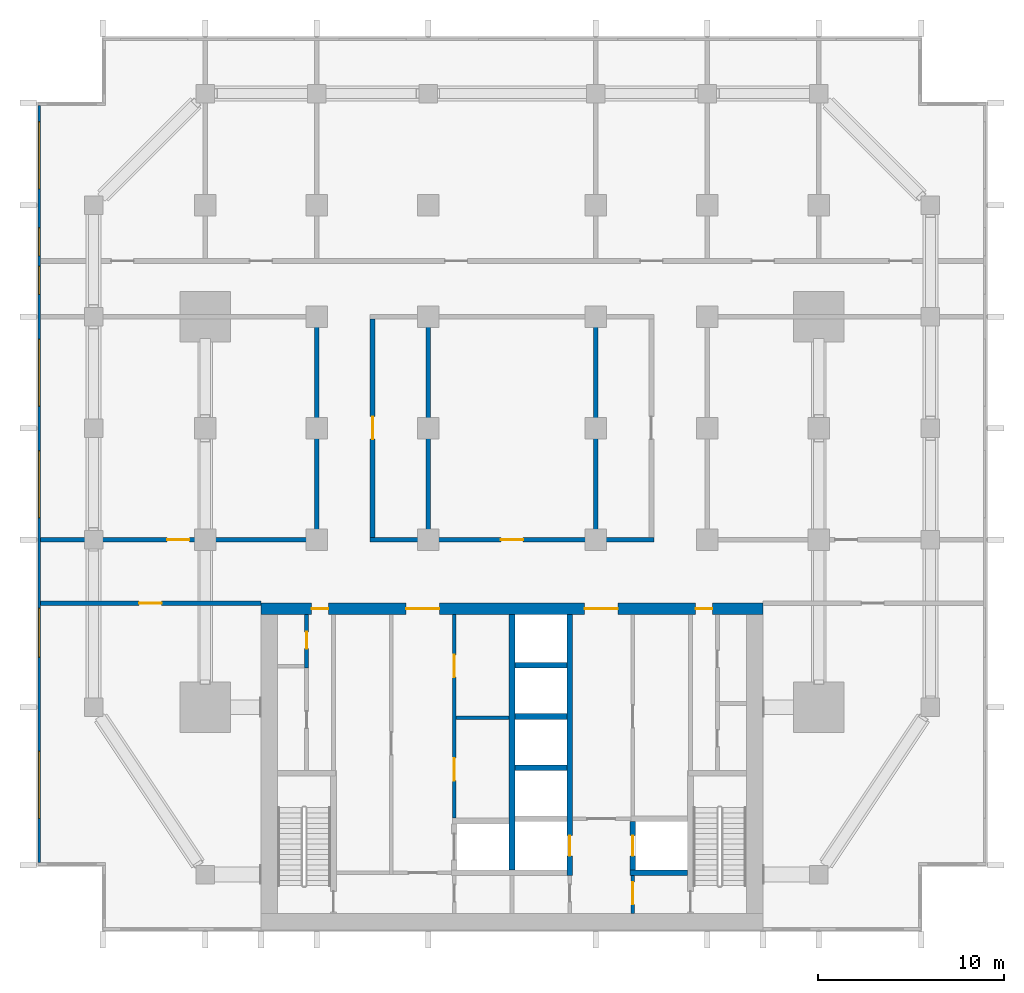
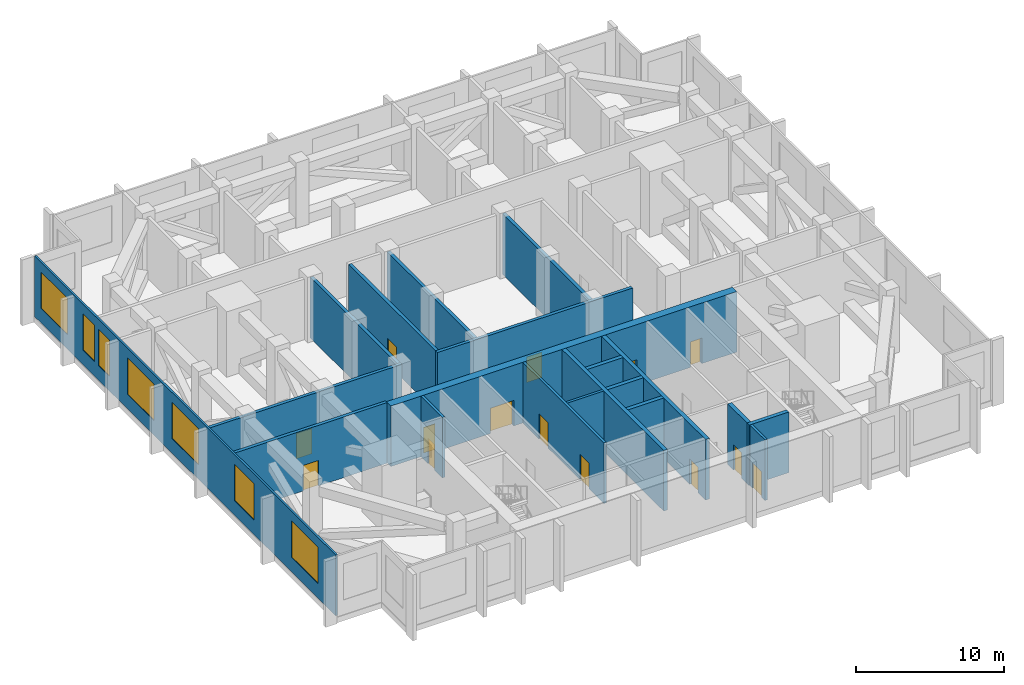
# One storey, part 3 of 12: 20 walls, 14 doors, 7 windows, 21 openings.
"""IFC4 building model written with IfcOpenShell, lengths in metres."""

from ifc_helpers import new_model, si_unit, direction, frame, frame_2d, origin, place, context, subcontext, project, spatial, rectangle, extrude, material, layer, layer_set, type_object, element, fill, save


model = new_model("IFC4")

# Units and contexts
model_context = context("Model", 3, precision=1e-05, world=origin(), true_north=direction((0.0, 1.0)))
body_context = subcontext(model_context, "Body", "Model", "MODEL_VIEW")
ifc_project = project(units=[si_unit("LENGTHUNIT", "METRE"), si_unit("AREAUNIT", "SQUARE_METRE"), si_unit("VOLUMEUNIT", "CUBIC_METRE"), si_unit("PLANEANGLEUNIT", "RADIAN"), si_unit("MASSUNIT", "GRAM", prefix="KILO")], contexts=[model_context])

# Site, building, storey
site_placement = place(None, origin())
site = spatial("IfcSite", under=ifc_project, at=site_placement, CompositionType="ELEMENT")
building_placement = place(site_placement, origin())
building = spatial("IfcBuilding", under=site, at=building_placement, Name="Finial Court Residences", CompositionType="ELEMENT")
storey_placement = place(building_placement, frame((0.0, 0.0, 143.89990234375)))
storey = spatial("IfcBuildingStorey", under=building, at=storey_placement, Name="L35", CompositionType="ELEMENT", Elevation=143.89990234375)

# Wall, openings, doors
ifc_material_1 = material(Name="Concrete C70/85", Category="concrete")
ifc_layer_1 = layer(ifc_material_1, 0.60009765625)
ifc_layer_set_1 = layer_set([ifc_layer_1], Name="Core outer wall 600 Concrete C70/85")
wall_type_1 = type_object("IfcWallType", Name="Core outer wall 600 Concrete C70/85", PredefinedType="SHEAR", material=ifc_layer_set_1)
wall_1_placement = place(storey_placement, frame((-13.5, -8.199951171875, 0.0), z_axis=(0.0, 0.0, 1.0), x_axis=(1.0, 0.0, 0.0)))
wall_1 = element("IfcWall", 1, at=wall_1_placement, inside=storey, type_object=wall_type_1, Name="Core outer wall L35-02", PredefinedType="SHEAR", context=body_context, shape_type="SweptSolid", body=[
    extrude(rectangle(XDim=27.0, YDim=0.60009765625, at=frame_2d((13.5, 0.0))), origin(), (0.0, 0.0, 1.0), 5.0),
])
opening_1_placement = place(wall_1_placement, frame((7.800048828125, 0.0, 0.0)))
opening_1 = element("IfcOpeningElement", 2, at=opening_1_placement, cuts=wall_1, Name="Opening L35-C03", PredefinedType="OPENING", context=body_context, shape_type="SweptSolid", body=[
    extrude(rectangle(XDim=1.800048828125, YDim=2.10009765625, at=frame_2d((0.89990234375, 1.050048828125))), frame((0.0, 0.31005859375, 0.0), z_axis=(0.0, -1.0, 0.0), x_axis=(1.0, 0.0, 0.0)), (0.0, 0.0, 1.0), 0.6201171875),
])
opening_2_placement = place(wall_1_placement, frame((17.39990234375, 0.0, 0.0)))
opening_2 = element("IfcOpeningElement", 3, at=opening_2_placement, cuts=wall_1, Name="Opening L35-C04", PredefinedType="OPENING", context=body_context, shape_type="SweptSolid", body=[
    extrude(rectangle(XDim=1.800048828125, YDim=2.10009765625, at=frame_2d((0.89990234375, 1.050048828125))), frame((0.0, 0.31005859375, 0.0), z_axis=(0.0, -1.0, 0.0), x_axis=(1.0, 0.0, 0.0)), (0.0, 0.0, 1.0), 0.6201171875),
])
opening_3_placement = place(wall_1_placement, frame((2.72509765625, 0.0, 0.0)))
opening_3 = element("IfcOpeningElement", 4, at=opening_3_placement, cuts=wall_1, Name="Opening L35-C12", PredefinedType="OPENING", context=body_context, shape_type="SweptSolid", body=[
    extrude(rectangle(XDim=0.89990234375, YDim=2.10009765625, at=frame_2d((0.449951171875, 1.050048828125))), frame((0.0, 0.31005859375, 0.0), z_axis=(0.0, -1.0, 0.0), x_axis=(1.0, 0.0, 0.0)), (0.0, 0.0, 1.0), 0.6201171875),
])
opening_4_placement = place(wall_1_placement, frame((23.375, 0.0, 0.0)))
opening_4 = element("IfcOpeningElement", 5, at=opening_4_placement, cuts=wall_1, Name="Opening L35-C13", PredefinedType="OPENING", context=body_context, shape_type="SweptSolid", body=[
    extrude(rectangle(XDim=0.89990234375, YDim=2.10009765625, at=frame_2d((0.449951171875, 1.050048828125))), frame((0.0, 0.31005859375, 0.0), z_axis=(0.0, -1.0, 0.0), x_axis=(1.0, 0.0, 0.0)), (0.0, 0.0, 1.0), 0.6201171875),
])
ifc_material_2 = material(Name="Steel fire door", Category="steel")
door_type_1 = type_object("IfcDoorType", Name="Lift lobby door 1800 x 2100 EI 60", OperationType="DOUBLE_DOOR_SINGLE_SWING", PredefinedType="DOOR", material=ifc_material_2)
door_1_placement = place(opening_1_placement, origin())
door_1 = element("IfcDoor", 6, at=door_1_placement, inside=storey, type_object=door_type_1, Name="Lift lobby door L35-C03", OperationType="DOUBLE_DOOR_SINGLE_SWING", OverallHeight=2.10009765625, OverallWidth=1.800048828125, PredefinedType="DOOR", context=body_context, shape_type="SweptSolid", body=[
    extrude(rectangle(XDim=1.800048828125, YDim=2.10009765625, at=frame_2d((0.89990234375, 1.050048828125))), frame((0.0, 0.02490234375, 0.0), z_axis=(0.0, -1.0, 0.0), x_axis=(1.0, 0.0, 0.0)), (0.0, 0.0, 1.0), 0.050048828125),
])
fill(opening_1, door_1)
door_2_placement = place(opening_2_placement, origin())
door_2 = element("IfcDoor", 7, at=door_2_placement, inside=storey, type_object=door_type_1, Name="Lift lobby door L35-C04", OperationType="DOUBLE_DOOR_SINGLE_SWING", OverallHeight=2.10009765625, OverallWidth=1.800048828125, PredefinedType="DOOR", context=body_context, shape_type="SweptSolid", body=[
    extrude(rectangle(XDim=1.800048828125, YDim=2.10009765625, at=frame_2d((0.89990234375, 1.050048828125))), frame((0.0, 0.02490234375, 0.0), z_axis=(0.0, -1.0, 0.0), x_axis=(1.0, 0.0, 0.0)), (0.0, 0.0, 1.0), 0.050048828125),
])
fill(opening_2, door_2)
door_type_2 = type_object("IfcDoorType", Name="Riser room door 900 x 2100 EI 90", OperationType="NOTDEFINED", PredefinedType="DOOR", material=ifc_material_2)
door_3_placement = place(opening_3_placement, origin())
door_3 = element("IfcDoor", 8, at=door_3_placement, inside=storey, type_object=door_type_2, Name="Riser room door L35-C12", OperationType="SINGLE_SWING_RIGHT", OverallHeight=2.10009765625, OverallWidth=0.89990234375, PredefinedType="DOOR", context=body_context, shape_type="SweptSolid", body=[
    extrude(rectangle(XDim=0.89990234375, YDim=2.10009765625, at=frame_2d((0.449951171875, 1.050048828125))), frame((0.0, 0.02490234375, 0.0), z_axis=(0.0, -1.0, 0.0), x_axis=(1.0, 0.0, 0.0)), (0.0, 0.0, 1.0), 0.050048828125),
])
fill(opening_3, door_3)
door_4_placement = place(opening_4_placement, origin())
door_4 = element("IfcDoor", 9, at=door_4_placement, inside=storey, type_object=door_type_2, Name="Riser room door L35-C13", OperationType="SINGLE_SWING_LEFT", OverallHeight=2.10009765625, OverallWidth=0.89990234375, PredefinedType="DOOR", context=body_context, shape_type="SweptSolid", body=[
    extrude(rectangle(XDim=0.89990234375, YDim=2.10009765625, at=frame_2d((0.449951171875, 1.050048828125))), frame((0.0, 0.02490234375, 0.0), z_axis=(0.0, -1.0, 0.0), x_axis=(1.0, 0.0, 0.0)), (0.0, 0.0, 1.0), 0.050048828125),
])
fill(opening_4, door_4)

# Wall, opening, door
ifc_material_3 = material(Name="Fire-rated gypsum board partition")
ifc_layer_2 = layer(ifc_material_3, 0.199951171875)
ifc_layer_set_2 = layer_set([ifc_layer_2], Name="Firefighting lobby wall 200 EI 120")
wall_type_2 = type_object("IfcWallType", Name="Firefighting lobby wall 200 EI 120", PredefinedType="PARTITIONING", material=ifc_layer_set_2)
wall_2_placement = place(storey_placement, frame((6.5, -22.550048828125, 0.0), z_axis=(0.0, 0.0, 1.0), x_axis=(0.0, -1.0, 0.0)))
wall_2 = element("IfcWall", 10, at=wall_2_placement, inside=storey, type_object=wall_type_2, Name="Core partition L35-29", PredefinedType="PARTITIONING", context=body_context, shape_type="SweptSolid", body=[
    extrude(rectangle(XDim=2.050048828125, YDim=0.199951171875, at=frame_2d((1.02490234375, 0.0))), origin(), (0.0, 0.0, 1.0), 5.0),
])
opening_5_placement = place(wall_2_placement, frame((0.35009765625, 0.0, 0.0)))
opening_5 = element("IfcOpeningElement", 11, at=opening_5_placement, cuts=wall_2, Name="Opening L35-C01", PredefinedType="OPENING", context=body_context, shape_type="SweptSolid", body=[
    extrude(rectangle(XDim=1.199951171875, YDim=2.10009765625, at=frame_2d((0.60009765625, 1.050048828125))), frame((0.0, 0.10986328125, 0.0), z_axis=(0.0, -1.0, 0.0), x_axis=(1.0, 0.0, 0.0)), (0.0, 0.0, 1.0), 0.219970703125),
])
door_type_3 = type_object("IfcDoorType", Name="Firefighting lobby door 1200 x 2100 EI 90", OperationType="NOTDEFINED", PredefinedType="DOOR", material=ifc_material_2)
door_5_placement = place(opening_5_placement, origin())
door_5 = element("IfcDoor", 12, at=door_5_placement, inside=storey, type_object=door_type_3, Name="Firefighting lobby door L35-C01", OperationType="SINGLE_SWING_RIGHT", OverallHeight=2.10009765625, OverallWidth=1.199951171875, PredefinedType="DOOR", context=body_context, shape_type="SweptSolid", body=[
    extrude(rectangle(XDim=1.199951171875, YDim=2.10009765625, at=frame_2d((0.60009765625, 1.050048828125))), frame((0.0, 0.02490234375, 0.0), z_axis=(0.0, -1.0, 0.0), x_axis=(1.0, 0.0, 0.0)), (0.0, 0.0, 1.0), 0.050048828125),
])
fill(opening_5, door_5)

# Walls
ifc_layer_3 = layer(ifc_material_1, 0.300048828125)
ifc_layer_set_3 = layer_set([ifc_layer_3], Name="Lift shaft and stair wall 300 Concrete C70/85")
wall_type_3 = type_object("IfcWallType", Name="Lift shaft and stair wall 300 Concrete C70/85", PredefinedType="SHEAR", material=ifc_layer_set_3)
wall_3_placement = place(storey_placement, frame((6.35009765625, -22.39990234375, 0.0), z_axis=(0.0, 0.0, 1.0), x_axis=(1.0, 0.0, 0.0)))
element("IfcWall", 13, at=wall_3_placement, inside=storey, type_object=wall_type_3, Name="Core wall L35-04", PredefinedType="SHEAR", context=body_context, shape_type="SweptSolid", body=[
    extrude(rectangle(XDim=3.099853515625, YDim=0.300048828125, at=frame_2d((1.5498046875, 0.0))), origin(), (0.0, 0.0, 1.0), 5.0),
])
for number, where, z_axis, x_axis, name in (
    (14, (0.14990234375, -16.75, 0.0), (0.0, 0.0, 1.0), (1.0, 0.0, 0.0), "Core wall L35-11"),
    (15, (0.14990234375, -14.0, 0.0), (0.0, 0.0, 1.0), (1.0, 0.0, 0.0), "Core wall L35-13"),
    (16, (0.14990234375, -11.25, 0.0), (0.0, 0.0, 1.0), (1.0, 0.0, 0.0), "Core wall L35-16"),
):
    element("IfcWall", number, at=place(storey_placement, frame(where, z_axis=z_axis, x_axis=x_axis)), inside=storey, type_object=wall_type_3, Name=name, PredefinedType="SHEAR", context=body_context, shape_type="SweptSolid", body=[
        extrude(rectangle(XDim=2.800048828125, YDim=0.300048828125, at=frame_2d((1.39990234375, 0.0))), origin(), (0.0, 0.0, 1.0), 5.0),
    ])
wall_4_placement = place(storey_placement, frame((0.0, -22.25, 0.0), z_axis=(0.0, 0.0, 1.0), x_axis=(0.0, 1.0, 0.0)))
element("IfcWall", 17, at=wall_4_placement, inside=storey, type_object=wall_type_3, Name="Core wall L35-26", PredefinedType="SHEAR", context=body_context, shape_type="SweptSolid", body=[
    extrude(rectangle(XDim=13.75, YDim=0.300048828125, at=frame_2d((6.875, 0.0))), origin(), (0.0, 0.0, 1.0), 5.0),
])

# Wall, opening, door
wall_5_placement = place(storey_placement, frame((3.10009765625, -22.550048828125, 0.0), z_axis=(0.0, 0.0, 1.0), x_axis=(0.0, 1.0, 0.0)))
wall_5 = element("IfcWall", 18, at=wall_5_placement, inside=storey, type_object=wall_type_3, Name="Core wall L35-28", PredefinedType="SHEAR", context=body_context, shape_type="SweptSolid", body=[
    extrude(rectangle(XDim=14.050048828125, YDim=0.300048828125, at=frame_2d((7.02490234375, 0.0))), origin(), (0.0, 0.0, 1.0), 5.0),
])
opening_6_placement = place(wall_5_placement, frame((1.050048828125, 0.0, 0.0)))
opening_6 = element("IfcOpeningElement", 19, at=opening_6_placement, cuts=wall_5, Name="Opening L35-LD01", PredefinedType="OPENING", context=body_context, shape_type="SweptSolid", body=[
    extrude(rectangle(XDim=1.10009765625, YDim=2.10009765625, at=frame_2d((0.550048828125, 1.050048828125))), frame((0.0, 0.159912109375, 0.0), z_axis=(0.0, -1.0, 0.0), x_axis=(1.0, 0.0, 0.0)), (0.0, 0.0, 1.0), 0.320068359375),
])
ifc_material_4 = material(Name="Stainless steel lift door", Category="steel")
door_type_4 = type_object("IfcDoorType", Name="Lift landing door 1100 x 2100 EI 90", OperationType="DOUBLE_DOOR_SLIDING", PredefinedType="DOOR", material=ifc_material_4)
door_6_placement = place(opening_6_placement, origin())
door_6 = element("IfcDoor", 20, at=door_6_placement, inside=storey, type_object=door_type_4, Name="Lift landing door FF1 L35", OperationType="DOUBLE_DOOR_SLIDING", OverallHeight=2.10009765625, OverallWidth=1.10009765625, PredefinedType="DOOR", context=body_context, shape_type="SweptSolid", body=[
    extrude(rectangle(XDim=1.10009765625, YDim=2.10009765625, at=frame_2d((0.550048828125, 1.050048828125))), frame((0.0, 0.02490234375, 0.0), z_axis=(0.0, -1.0, 0.0), x_axis=(1.0, 0.0, 0.0)), (0.0, 0.0, 1.0), 0.050048828125),
])
fill(opening_6, door_6)

wall_6_placement = place(storey_placement, frame((6.5, -22.25, 0.0), z_axis=(0.0, 0.0, 1.0), x_axis=(0.0, 1.0, 0.0)))
wall_6 = element("IfcWall", 21, at=wall_6_placement, inside=storey, type_object=wall_type_3, Name="Core wall L35-30", PredefinedType="SHEAR", context=body_context, shape_type="SweptSolid", body=[
    extrude(rectangle(XDim=2.60009765625, YDim=0.300048828125, at=frame_2d((1.300048828125, 0.0))), origin(), (0.0, 0.0, 1.0), 5.0),
])
opening_7_placement = place(wall_6_placement, frame((0.75, 0.0, 0.0)))
opening_7 = element("IfcOpeningElement", 22, at=opening_7_placement, cuts=wall_6, Name="Opening L35-LD02", PredefinedType="OPENING", context=body_context, shape_type="SweptSolid", body=[
    extrude(rectangle(XDim=1.10009765625, YDim=2.10009765625, at=frame_2d((0.550048828125, 1.050048828125))), frame((0.0, 0.159912109375, 0.0), z_axis=(0.0, -1.0, 0.0), x_axis=(1.0, 0.0, 0.0)), (0.0, 0.0, 1.0), 0.320068359375),
])
door_7_placement = place(opening_7_placement, origin())
door_7 = element("IfcDoor", 23, at=door_7_placement, inside=storey, type_object=door_type_4, Name="Lift landing door FF2 L35", OperationType="DOUBLE_DOOR_SLIDING", OverallHeight=2.10009765625, OverallWidth=1.10009765625, PredefinedType="DOOR", context=body_context, shape_type="SweptSolid", body=[
    extrude(rectangle(XDim=1.10009765625, YDim=2.10009765625, at=frame_2d((0.550048828125, 1.050048828125))), frame((0.0, 0.02490234375, 0.0), z_axis=(0.0, -1.0, 0.0), x_axis=(1.0, 0.0, 0.0)), (0.0, 0.0, 1.0), 0.050048828125),
])
fill(opening_7, door_7)

ifc_material_5 = material(Name="Fire-rated board")
ifc_layer_4 = layer(ifc_material_5, 0.050048828125)
ifc_material_6 = material(Name="Mineral wool in double frame")
ifc_layer_5 = layer(ifc_material_6, 0.14990234375)
ifc_layer_6 = layer(ifc_material_5, 0.050048828125)
ifc_layer_set_4 = layer_set([ifc_layer_4, ifc_layer_5, ifc_layer_6], Name="Plant room wall 250, 2 hour")
wall_type_4 = type_object("IfcWallType", Name="Plant room wall 250, 2 hour", PredefinedType="PARTITIONING", material=ifc_layer_set_4)
wall_7_placement = place(storey_placement, frame((-25.35009765625, -7.89990234375, 0.0), z_axis=(0.0, 0.0, 1.0), x_axis=(1.0, 0.0, 0.0)))
wall_7 = element("IfcWall", 24, at=wall_7_placement, inside=storey, type_object=wall_type_4, Name="Partition L35-000", PredefinedType="PARTITIONING", context=body_context, shape_type="SweptSolid", body=[
    extrude(rectangle(XDim=11.85009765625, YDim=0.25, at=frame_2d((5.925048828125, 0.0))), origin(), (0.0, 0.0, 1.0), 5.0),
])
opening_8_placement = place(wall_7_placement, frame((5.300048828125, 0.0, 0.0)))
opening_8 = element("IfcOpeningElement", 25, at=opening_8_placement, cuts=wall_7, Name="Opening L35-D001", PredefinedType="OPENING", context=body_context, shape_type="SweptSolid", body=[
    extrude(rectangle(XDim=1.199951171875, YDim=2.10009765625, at=frame_2d((0.60009765625, 1.050048828125))), frame((0.0, 0.135009765625, 0.0), z_axis=(0.0, -1.0, 0.0), x_axis=(1.0, 0.0, 0.0)), (0.0, 0.0, 1.0), 0.27001953125),
])
ifc_material_7 = material(Name="Timber door leaf in hollow metal frame", Category="wood")
door_type_5 = type_object("IfcDoorType", Name="Fire door set 1200 x 2100, 60 minutes", OperationType="SINGLE_SWING_LEFT", PredefinedType="DOOR", material=ifc_material_7)
door_8_placement = place(opening_8_placement, origin())
door_8 = element("IfcDoor", 26, at=door_8_placement, inside=storey, type_object=door_type_5, Name="Door L35-D001", OperationType="SINGLE_SWING_LEFT", OverallHeight=2.10009765625, OverallWidth=1.199951171875, PredefinedType="DOOR", context=body_context, shape_type="SweptSolid", body=[
    extrude(rectangle(XDim=1.199951171875, YDim=2.10009765625, at=frame_2d((0.60009765625, 1.050048828125))), frame((0.0, 0.02490234375, 0.0), z_axis=(0.0, -1.0, 0.0), x_axis=(1.0, 0.0, 0.0)), (0.0, 0.0, 1.0), 0.050048828125),
])
fill(opening_8, door_8)

wall_8_placement = place(storey_placement, frame((-25.35009765625, -4.5, 0.0), z_axis=(0.0, 0.0, 1.0), x_axis=(1.0, 0.0, 0.0)))
wall_8 = element("IfcWall", 27, at=wall_8_placement, inside=storey, type_object=wall_type_4, Name="Partition L35-002", PredefinedType="PARTITIONING", context=body_context, shape_type="SweptSolid", body=[
    extrude(rectangle(XDim=14.97509765625, YDim=0.25, at=frame_2d((7.487548828125, 0.0))), origin(), (0.0, 0.0, 1.0), 5.0),
])
opening_9_placement = place(wall_8_placement, frame((6.800048828125, 0.0, 0.0)))
opening_9 = element("IfcOpeningElement", 28, at=opening_9_placement, cuts=wall_8, Name="Opening L35-D003", PredefinedType="OPENING", context=body_context, shape_type="SweptSolid", body=[
    extrude(rectangle(XDim=1.199951171875, YDim=2.10009765625, at=frame_2d((0.60009765625, 1.050048828125))), frame((0.0, 0.135009765625, 0.0), z_axis=(0.0, -1.0, 0.0), x_axis=(1.0, 0.0, 0.0)), (0.0, 0.0, 1.0), 0.27001953125),
])
door_9_placement = place(opening_9_placement, origin())
door_9 = element("IfcDoor", 29, at=door_9_placement, inside=storey, type_object=door_type_5, Name="Door L35-D003", OperationType="SINGLE_SWING_RIGHT", OverallHeight=2.10009765625, OverallWidth=1.199951171875, PredefinedType="DOOR", context=body_context, shape_type="SweptSolid", body=[
    extrude(rectangle(XDim=1.199951171875, YDim=2.10009765625, at=frame_2d((0.60009765625, 1.050048828125))), frame((0.0, 0.02490234375, 0.0), z_axis=(0.0, -1.0, 0.0), x_axis=(1.0, 0.0, 0.0)), (0.0, 0.0, 1.0), 0.050048828125),
])
fill(opening_9, door_9)

wall_9_placement = place(storey_placement, frame((-7.625, -4.5, 0.0), z_axis=(0.0, 0.0, 1.0), x_axis=(1.0, 0.0, 0.0)))
wall_9 = element("IfcWall", 30, at=wall_9_placement, inside=storey, type_object=wall_type_4, Name="Partition L35-003", PredefinedType="PARTITIONING", context=body_context, shape_type="SweptSolid", body=[
    extrude(rectangle(XDim=15.25, YDim=0.25, at=frame_2d((7.625, 0.0))), origin(), (0.0, 0.0, 1.0), 5.0),
])
opening_10_placement = place(wall_9_placement, frame((7.02490234375, 0.0, 0.0)))
opening_10 = element("IfcOpeningElement", 31, at=opening_10_placement, cuts=wall_9, Name="Opening L35-D004", PredefinedType="OPENING", context=body_context, shape_type="SweptSolid", body=[
    extrude(rectangle(XDim=1.199951171875, YDim=2.10009765625, at=frame_2d((0.60009765625, 1.050048828125))), frame((0.0, 0.135009765625, 0.0), z_axis=(0.0, -1.0, 0.0), x_axis=(1.0, 0.0, 0.0)), (0.0, 0.0, 1.0), 0.27001953125),
])
door_10_placement = place(opening_10_placement, origin())
door_10 = element("IfcDoor", 32, at=door_10_placement, inside=storey, type_object=door_type_5, Name="Door L35-D004", OperationType="SINGLE_SWING_LEFT", OverallHeight=2.10009765625, OverallWidth=1.199951171875, PredefinedType="DOOR", context=body_context, shape_type="SweptSolid", body=[
    extrude(rectangle(XDim=1.199951171875, YDim=2.10009765625, at=frame_2d((0.60009765625, 1.050048828125))), frame((0.0, 0.02490234375, 0.0), z_axis=(0.0, -1.0, 0.0), x_axis=(1.0, 0.0, 0.0)), (0.0, 0.0, 1.0), 0.050048828125),
])
fill(opening_10, door_10)

# Wall
wall_10_placement = place(storey_placement, frame((-10.5, -4.375, 0.0), z_axis=(0.0, 0.0, 1.0), x_axis=(0.0, 1.0, 0.0)))
element("IfcWall", 33, at=wall_10_placement, inside=storey, type_object=wall_type_4, Name="Partition L35-010", PredefinedType="PARTITIONING", context=body_context, shape_type="SweptSolid", body=[
    extrude(rectangle(XDim=11.75, YDim=0.25, at=frame_2d((5.875, 0.0))), origin(), (0.0, 0.0, 1.0), 5.0),
])

# Wall, opening, door
wall_11_placement = place(storey_placement, frame((-7.5, -4.375, 0.0), z_axis=(0.0, 0.0, 1.0), x_axis=(0.0, 1.0, 0.0)))
wall_11 = element("IfcWall", 34, at=wall_11_placement, inside=storey, type_object=wall_type_4, Name="Partition L35-012", PredefinedType="PARTITIONING", context=body_context, shape_type="SweptSolid", body=[
    extrude(rectangle(XDim=11.75, YDim=0.25, at=frame_2d((5.875, 0.0))), origin(), (0.0, 0.0, 1.0), 5.0),
])
opening_11_placement = place(wall_11_placement, frame((5.300048828125, 0.0, 0.0)))
opening_11 = element("IfcOpeningElement", 35, at=opening_11_placement, cuts=wall_11, Name="Opening L35-D012", PredefinedType="OPENING", context=body_context, shape_type="SweptSolid", body=[
    extrude(rectangle(XDim=1.199951171875, YDim=2.10009765625, at=frame_2d((0.60009765625, 1.050048828125))), frame((0.0, 0.135009765625, 0.0), z_axis=(0.0, -1.0, 0.0), x_axis=(1.0, 0.0, 0.0)), (0.0, 0.0, 1.0), 0.27001953125),
])
door_11_placement = place(opening_11_placement, origin())
door_11 = element("IfcDoor", 36, at=door_11_placement, inside=storey, type_object=door_type_5, Name="Door L35-D012", OperationType="SINGLE_SWING_RIGHT", OverallHeight=2.10009765625, OverallWidth=1.199951171875, PredefinedType="DOOR", context=body_context, shape_type="SweptSolid", body=[
    extrude(rectangle(XDim=1.199951171875, YDim=2.10009765625, at=frame_2d((0.60009765625, 1.050048828125))), frame((0.0, 0.02490234375, 0.0), z_axis=(0.0, -1.0, 0.0), x_axis=(1.0, 0.0, 0.0)), (0.0, 0.0, 1.0), 0.050048828125),
])
fill(opening_11, door_11)

# Walls
for number, where, z_axis, x_axis, name in (
    (37, (-4.5, -4.375, 0.0), (0.0, 0.0, 1.0), (0.0, 1.0, 0.0), "Partition L35-013"),
    (38, (4.5, -4.375, 0.0), (0.0, 0.0, 1.0), (0.0, 1.0, 0.0), "Partition L35-014"),
):
    element("IfcWall", number, at=place(storey_placement, frame(where, z_axis=z_axis, x_axis=x_axis)), inside=storey, type_object=wall_type_4, Name=name, PredefinedType="PARTITIONING", context=body_context, shape_type="SweptSolid", body=[
        extrude(rectangle(XDim=11.75, YDim=0.25, at=frame_2d((5.875, 0.0))), origin(), (0.0, 0.0, 1.0), 5.0),
    ])

# Wall, openings, windows
ifc_material_8 = material(Name="Natural limestone", Category="masonry")
ifc_layer_7 = layer(ifc_material_8, 0.14990234375)
ifc_layer_set_5 = layer_set([ifc_layer_7], Name="Plant storey wall, limestone clad 150")
wall_type_5 = type_object("IfcWallType", Name="Plant storey wall, limestone clad 150", PredefinedType="SOLIDWALL", material=ifc_layer_set_5)
wall_12_placement = place(storey_placement, frame((-25.425048828125, -21.85009765625, 0.0), z_axis=(0.0, 0.0, 1.0), x_axis=(0.0, 1.0, 0.0)))
wall_12 = element("IfcWall", 39, at=wall_12_placement, inside=storey, type_object=wall_type_5, Name="E-L35-PWW5", PredefinedType="SOLIDWALL", context=body_context, shape_type="SweptSolid", body=[
    extrude(rectangle(XDim=40.7001953125, YDim=0.14990234375, at=frame_2d((20.35009765625, 0.0))), origin(), (0.0, 0.0, 1.0), 5.0),
])
opening_12_placement = place(wall_12_placement, frame((2.375, 0.0, 1.199951171875)))
opening_12 = element("IfcOpeningElement", 40, at=opening_12_placement, cuts=wall_12, Name="Opening WE35-19", PredefinedType="OPENING", context=body_context, shape_type="SweptSolid", body=[
    extrude(rectangle(XDim=3.60009765625, YDim=3.0, at=frame_2d((1.800048828125, 1.5))), frame((0.0, 0.0849609375, 0.0), z_axis=(0.0, -1.0, 0.0), x_axis=(1.0, 0.0, 0.0)), (0.0, 0.0, 1.0), 0.169921875),
])
opening_13_placement = place(wall_12_placement, frame((11.050048828125, 0.0, 1.199951171875)))
opening_13 = element("IfcOpeningElement", 41, at=opening_13_placement, cuts=wall_12, Name="Opening WE35-20", PredefinedType="OPENING", context=body_context, shape_type="SweptSolid", body=[
    extrude(rectangle(XDim=2.625, YDim=3.0, at=frame_2d((1.3125, 1.5))), frame((0.0, 0.0849609375, 0.0), z_axis=(0.0, -1.0, 0.0), x_axis=(1.0, 0.0, 0.0)), (0.0, 0.0, 1.0), 0.169921875),
])
opening_14_placement = place(wall_12_placement, frame((18.550048828125, 0.0, 1.199951171875)))
opening_14 = element("IfcOpeningElement", 42, at=opening_14_placement, cuts=wall_12, Name="Opening WE35-21", PredefinedType="OPENING", context=body_context, shape_type="SweptSolid", body=[
    extrude(rectangle(XDim=3.60009765625, YDim=3.0, at=frame_2d((1.800048828125, 1.5))), frame((0.0, 0.0849609375, 0.0), z_axis=(0.0, -1.0, 0.0), x_axis=(1.0, 0.0, 0.0)), (0.0, 0.0, 1.0), 0.169921875),
])
opening_15_placement = place(wall_12_placement, frame((24.550048828125, 0.0, 1.199951171875)))
opening_15 = element("IfcOpeningElement", 43, at=opening_15_placement, cuts=wall_12, Name="Opening WE35-22", PredefinedType="OPENING", context=body_context, shape_type="SweptSolid", body=[
    extrude(rectangle(XDim=3.60009765625, YDim=3.0, at=frame_2d((1.800048828125, 1.5))), frame((0.0, 0.0849609375, 0.0), z_axis=(0.0, -1.0, 0.0), x_axis=(1.0, 0.0, 0.0)), (0.0, 0.0, 1.0), 0.169921875),
])
opening_16_placement = place(wall_12_placement, frame((30.550048828125, 0.0, 1.199951171875)))
opening_16 = element("IfcOpeningElement", 44, at=opening_16_placement, cuts=wall_12, Name="Opening WE35-23", PredefinedType="OPENING", context=body_context, shape_type="SweptSolid", body=[
    extrude(rectangle(XDim=1.52490234375, YDim=3.0, at=frame_2d((0.762451171875, 1.5))), frame((0.0, 0.0849609375, 0.0), z_axis=(0.0, -1.0, 0.0), x_axis=(1.0, 0.0, 0.0)), (0.0, 0.0, 1.0), 0.169921875),
])
opening_17_placement = place(wall_12_placement, frame((32.625, 0.0, 1.199951171875)))
opening_17 = element("IfcOpeningElement", 45, at=opening_17_placement, cuts=wall_12, Name="Opening WE35-24", PredefinedType="OPENING", context=body_context, shape_type="SweptSolid", body=[
    extrude(rectangle(XDim=1.52490234375, YDim=3.0, at=frame_2d((0.762451171875, 1.5))), frame((0.0, 0.0849609375, 0.0), z_axis=(0.0, -1.0, 0.0), x_axis=(1.0, 0.0, 0.0)), (0.0, 0.0, 1.0), 0.169921875),
])
opening_18_placement = place(wall_12_placement, frame((36.22509765625, 0.0, 1.199951171875)))
opening_18 = element("IfcOpeningElement", 46, at=opening_18_placement, cuts=wall_12, Name="Opening WE35-25", PredefinedType="OPENING", context=body_context, shape_type="SweptSolid", body=[
    extrude(rectangle(XDim=3.60009765625, YDim=3.0, at=frame_2d((1.800048828125, 1.5))), frame((0.0, 0.0849609375, 0.0), z_axis=(0.0, -1.0, 0.0), x_axis=(1.0, 0.0, 0.0)), (0.0, 0.0, 1.0), 0.169921875),
])
ifc_material_9 = material(Name="Bronze anodised aluminium", Category="aluminium")
window_type_1 = type_object("IfcWindowType", Name="Plant louvre 1525 x 3000", PartitioningType="SINGLE_PANEL", PredefinedType="WINDOW", material=ifc_material_9)
window_1_placement = place(opening_16_placement, origin())
window_1 = element("IfcWindow", 47, at=window_1_placement, inside=storey, type_object=window_type_1, Name="E-L35-PWW5-W5", OverallHeight=3.0, OverallWidth=1.52490234375, PartitioningType="SINGLE_PANEL", PredefinedType="WINDOW", context=body_context, shape_type="SweptSolid", body=[
    extrude(rectangle(XDim=1.52490234375, YDim=3.0, at=frame_2d((0.762451171875, 1.5))), frame((0.0, 0.030029296875, 0.0), z_axis=(0.0, -1.0, 0.0), x_axis=(1.0, 0.0, 0.0)), (0.0, 0.0, 1.0), 0.06005859375),
])
fill(opening_16, window_1)
window_2_placement = place(opening_17_placement, origin())
window_2 = element("IfcWindow", 48, at=window_2_placement, inside=storey, type_object=window_type_1, Name="E-L35-PWW5-W6", OverallHeight=3.0, OverallWidth=1.52490234375, PartitioningType="SINGLE_PANEL", PredefinedType="WINDOW", context=body_context, shape_type="SweptSolid", body=[
    extrude(rectangle(XDim=1.52490234375, YDim=3.0, at=frame_2d((0.762451171875, 1.5))), frame((0.0, 0.030029296875, 0.0), z_axis=(0.0, -1.0, 0.0), x_axis=(1.0, 0.0, 0.0)), (0.0, 0.0, 1.0), 0.06005859375),
])
fill(opening_17, window_2)
window_type_2 = type_object("IfcWindowType", Name="Plant louvre 2625 x 3000", PartitioningType="SINGLE_PANEL", PredefinedType="WINDOW", material=ifc_material_9)
window_3_placement = place(opening_13_placement, origin())
window_3 = element("IfcWindow", 49, at=window_3_placement, inside=storey, type_object=window_type_2, Name="E-L35-PWW5-W2", OverallHeight=3.0, OverallWidth=2.625, PartitioningType="SINGLE_PANEL", PredefinedType="WINDOW", context=body_context, shape_type="SweptSolid", body=[
    extrude(rectangle(XDim=2.625, YDim=3.0, at=frame_2d((1.3125, 1.5))), frame((0.0, 0.030029296875, 0.0), z_axis=(0.0, -1.0, 0.0), x_axis=(1.0, 0.0, 0.0)), (0.0, 0.0, 1.0), 0.06005859375),
])
fill(opening_13, window_3)
window_type_3 = type_object("IfcWindowType", Name="Plant louvre 3600 x 3000", PartitioningType="SINGLE_PANEL", PredefinedType="WINDOW", material=ifc_material_9)
window_4_placement = place(opening_12_placement, origin())
window_4 = element("IfcWindow", 50, at=window_4_placement, inside=storey, type_object=window_type_3, Name="E-L35-PWW5-W1", OverallHeight=3.0, OverallWidth=3.60009765625, PartitioningType="SINGLE_PANEL", PredefinedType="WINDOW", context=body_context, shape_type="SweptSolid", body=[
    extrude(rectangle(XDim=3.60009765625, YDim=3.0, at=frame_2d((1.800048828125, 1.5))), frame((0.0, 0.030029296875, 0.0), z_axis=(0.0, -1.0, 0.0), x_axis=(1.0, 0.0, 0.0)), (0.0, 0.0, 1.0), 0.06005859375),
])
fill(opening_12, window_4)
window_5_placement = place(opening_14_placement, origin())
window_5 = element("IfcWindow", 51, at=window_5_placement, inside=storey, type_object=window_type_3, Name="E-L35-PWW5-W3", OverallHeight=3.0, OverallWidth=3.60009765625, PartitioningType="SINGLE_PANEL", PredefinedType="WINDOW", context=body_context, shape_type="SweptSolid", body=[
    extrude(rectangle(XDim=3.60009765625, YDim=3.0, at=frame_2d((1.800048828125, 1.5))), frame((0.0, 0.030029296875, 0.0), z_axis=(0.0, -1.0, 0.0), x_axis=(1.0, 0.0, 0.0)), (0.0, 0.0, 1.0), 0.06005859375),
])
fill(opening_14, window_5)
window_6_placement = place(opening_15_placement, origin())
window_6 = element("IfcWindow", 52, at=window_6_placement, inside=storey, type_object=window_type_3, Name="E-L35-PWW5-W4", OverallHeight=3.0, OverallWidth=3.60009765625, PartitioningType="SINGLE_PANEL", PredefinedType="WINDOW", context=body_context, shape_type="SweptSolid", body=[
    extrude(rectangle(XDim=3.60009765625, YDim=3.0, at=frame_2d((1.800048828125, 1.5))), frame((0.0, 0.030029296875, 0.0), z_axis=(0.0, -1.0, 0.0), x_axis=(1.0, 0.0, 0.0)), (0.0, 0.0, 1.0), 0.06005859375),
])
fill(opening_15, window_6)
window_7_placement = place(opening_18_placement, origin())
window_7 = element("IfcWindow", 53, at=window_7_placement, inside=storey, type_object=window_type_3, Name="E-L35-PWW5-W7", OverallHeight=3.0, OverallWidth=3.60009765625, PartitioningType="SINGLE_PANEL", PredefinedType="WINDOW", context=body_context, shape_type="SweptSolid", body=[
    extrude(rectangle(XDim=3.60009765625, YDim=3.0, at=frame_2d((1.800048828125, 1.5))), frame((0.0, 0.030029296875, 0.0), z_axis=(0.0, -1.0, 0.0), x_axis=(1.0, 0.0, 0.0)), (0.0, 0.0, 1.0), 0.06005859375),
])
fill(opening_18, window_7)

# Wall
ifc_layer_8 = layer(ifc_material_3, 0.199951171875)
ifc_layer_set_6 = layer_set([ifc_layer_8], Name="Riser room wall 200 EI 120")
wall_type_6 = type_object("IfcWallType", Name="Riser room wall 200 EI 120", PredefinedType="PARTITIONING", material=ifc_layer_set_6)
wall_13_placement = place(storey_placement, frame((-3.0, -14.06005859375, 0.0), z_axis=(0.0, 0.0, 1.0), x_axis=(1.0, 0.0, 0.0)))
element("IfcWall", 54, at=wall_13_placement, inside=storey, type_object=wall_type_6, Name="Core partition L35-12", PredefinedType="PARTITIONING", context=body_context, shape_type="SweptSolid", body=[
    extrude(rectangle(XDim=2.85009765625, YDim=0.199951171875, at=frame_2d((1.425048828125, 0.0))), origin(), (0.0, 0.0, 1.0), 5.0),
])

# Wall, opening, door
wall_14_placement = place(storey_placement, frame((-11.050048828125, -11.39990234375, 0.0), z_axis=(0.0, 0.0, 1.0), x_axis=(0.0, 1.0, 0.0)))
wall_14 = element("IfcWall", 55, at=wall_14_placement, inside=storey, type_object=wall_type_6, Name="Core partition L35-18", PredefinedType="PARTITIONING", context=body_context, shape_type="SweptSolid", body=[
    extrude(rectangle(XDim=2.89990234375, YDim=0.199951171875, at=frame_2d((1.449951171875, 0.0))), origin(), (0.0, 0.0, 1.0), 5.0),
])
opening_19_placement = place(wall_14_placement, frame((1.050048828125, 0.0, 0.0)))
opening_19 = element("IfcOpeningElement", 56, at=opening_19_placement, cuts=wall_14, Name="Opening L35-C06", PredefinedType="OPENING", context=body_context, shape_type="SweptSolid", body=[
    extrude(rectangle(XDim=0.89990234375, YDim=2.10009765625, at=frame_2d((0.449951171875, 1.050048828125))), frame((0.0, 0.10986328125, 0.0), z_axis=(0.0, -1.0, 0.0), x_axis=(1.0, 0.0, 0.0)), (0.0, 0.0, 1.0), 0.219970703125),
])
door_12_placement = place(opening_19_placement, origin())
door_12 = element("IfcDoor", 57, at=door_12_placement, inside=storey, type_object=door_type_2, Name="Riser room door L35-C06", OperationType="SINGLE_SWING_LEFT", OverallHeight=2.10009765625, OverallWidth=0.89990234375, PredefinedType="DOOR", context=body_context, shape_type="SweptSolid", body=[
    extrude(rectangle(XDim=0.89990234375, YDim=2.10009765625, at=frame_2d((0.449951171875, 1.050048828125))), frame((0.0, 0.02490234375, 0.0), z_axis=(0.0, -1.0, 0.0), x_axis=(1.0, 0.0, 0.0)), (0.0, 0.0, 1.0), 0.050048828125),
])
fill(opening_19, door_12)

# Wall, openings, doors
wall_15_placement = place(storey_placement, frame((-3.10009765625, -8.5, 0.0), z_axis=(0.0, 0.0, 1.0), x_axis=(0.0, -1.0, 0.0)))
wall_15 = element("IfcWall", 58, at=wall_15_placement, inside=storey, type_object=wall_type_6, Name="Core partition L35-24", PredefinedType="PARTITIONING", context=body_context, shape_type="SweptSolid", body=[
    extrude(rectangle(XDim=10.969970703125, YDim=0.199951171875, at=frame_2d((5.48486328125, 0.0))), origin(), (0.0, 0.0, 1.0), 5.0),
])
opening_20_placement = place(wall_15_placement, frame((7.739990234375, 0.0, 0.0)))
opening_20 = element("IfcOpeningElement", 59, at=opening_20_placement, cuts=wall_15, Name="Opening L35-C09", PredefinedType="OPENING", context=body_context, shape_type="SweptSolid", body=[
    extrude(rectangle(XDim=1.199951171875, YDim=2.10009765625, at=frame_2d((0.60009765625, 1.050048828125))), frame((0.0, 0.10986328125, 0.0), z_axis=(0.0, -1.0, 0.0), x_axis=(1.0, 0.0, 0.0)), (0.0, 0.0, 1.0), 0.219970703125),
])
opening_21_placement = place(wall_15_placement, frame((2.179931640625, 0.0, 0.0)))
opening_21 = element("IfcOpeningElement", 60, at=opening_21_placement, cuts=wall_15, Name="Opening L35-C10", PredefinedType="OPENING", context=body_context, shape_type="SweptSolid", body=[
    extrude(rectangle(XDim=1.199951171875, YDim=2.10009765625, at=frame_2d((0.60009765625, 1.050048828125))), frame((0.0, 0.10986328125, 0.0), z_axis=(0.0, -1.0, 0.0), x_axis=(1.0, 0.0, 0.0)), (0.0, 0.0, 1.0), 0.219970703125),
])
door_type_6 = type_object("IfcDoorType", Name="Riser room door 1200 x 2100 EI 90", OperationType="NOTDEFINED", PredefinedType="DOOR", material=ifc_material_2)
door_13_placement = place(opening_20_placement, origin())
door_13 = element("IfcDoor", 61, at=door_13_placement, inside=storey, type_object=door_type_6, Name="Riser room door L35-C09", OperationType="SINGLE_SWING_LEFT", OverallHeight=2.10009765625, OverallWidth=1.199951171875, PredefinedType="DOOR", context=body_context, shape_type="SweptSolid", body=[
    extrude(rectangle(XDim=1.199951171875, YDim=2.10009765625, at=frame_2d((0.60009765625, 1.050048828125))), frame((0.0, 0.02490234375, 0.0), z_axis=(0.0, -1.0, 0.0), x_axis=(1.0, 0.0, 0.0)), (0.0, 0.0, 1.0), 0.050048828125),
])
fill(opening_20, door_13)
door_14_placement = place(opening_21_placement, origin())
door_14 = element("IfcDoor", 62, at=door_14_placement, inside=storey, type_object=door_type_6, Name="Riser room door L35-C10", OperationType="SINGLE_SWING_LEFT", OverallHeight=2.10009765625, OverallWidth=1.199951171875, PredefinedType="DOOR", context=body_context, shape_type="SweptSolid", body=[
    extrude(rectangle(XDim=1.199951171875, YDim=2.10009765625, at=frame_2d((0.60009765625, 1.050048828125))), frame((0.0, 0.02490234375, 0.0), z_axis=(0.0, -1.0, 0.0), x_axis=(1.0, 0.0, 0.0)), (0.0, 0.0, 1.0), 0.050048828125),
])
fill(opening_21, door_14)

save(model, "model.ifc")
